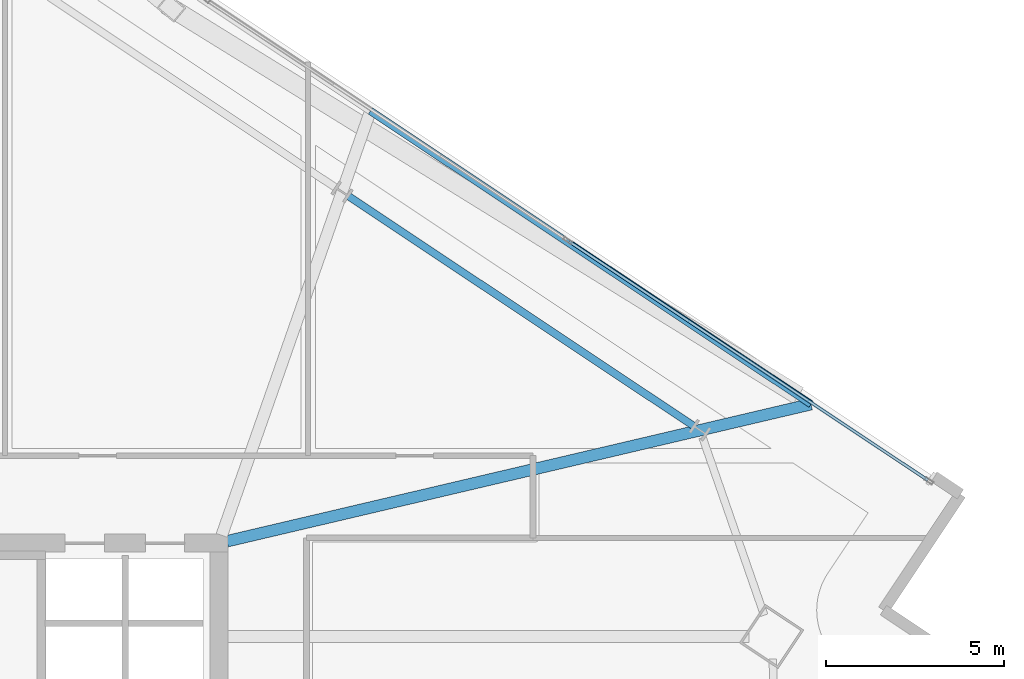
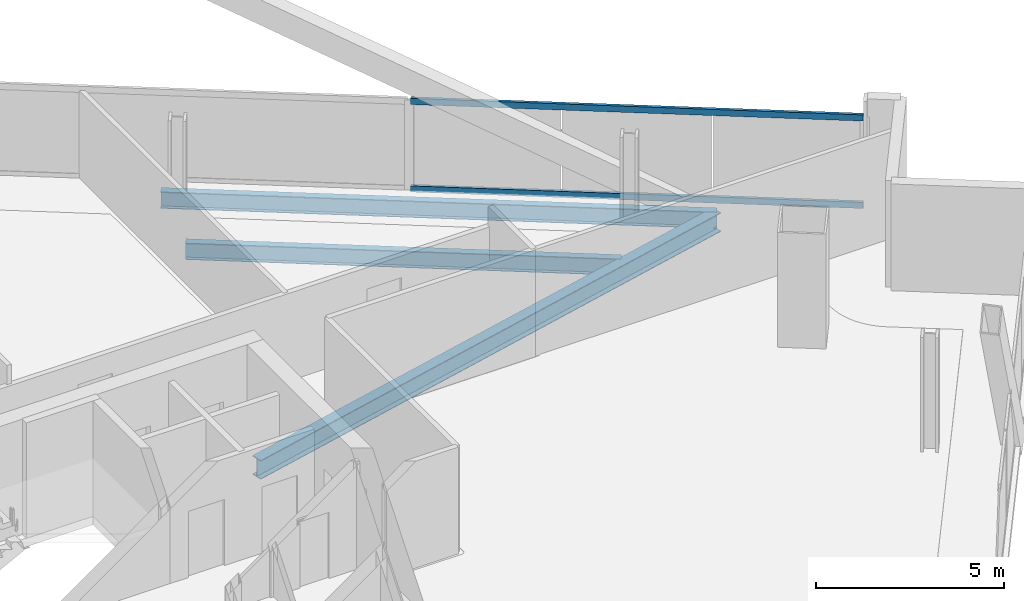
# One storey, part 19 of 32: 3 beams, 2 members, 1 element without a shape of its own.
"""IFC4 building model written with IfcOpenShell, lengths in metres."""

from ifc_helpers import new_model, si_unit, direction, frame, origin, origin_2d, place, context, subcontext, project, spatial, hollow_rectangle, i_section, extrude, material, material_profile, profile_set, type_object, element, aggregate, save


model = new_model("IFC4")

# Units and contexts
model_context = context("Model", 3, precision=1e-05, world=origin(), true_north=direction((0.0, 1.0)))
body_context = subcontext(model_context, "Body", "Model", "MODEL_VIEW")
ifc_project = project(units=[si_unit("LENGTHUNIT", "METRE"), si_unit("AREAUNIT", "SQUARE_METRE"), si_unit("VOLUMEUNIT", "CUBIC_METRE"), si_unit("PLANEANGLEUNIT", "RADIAN"), si_unit("MASSUNIT", "GRAM", prefix="KILO")], contexts=[model_context])

# Site, building, storey
site_placement = place(None, origin())
site = spatial("IfcSite", under=ifc_project, at=site_placement, CompositionType="ELEMENT")
building_placement = place(site_placement, origin())
building = spatial("IfcBuilding", under=site, at=building_placement, Name="Haldenkirk Collegiate Tower", CompositionType="ELEMENT")
storey_placement = place(building_placement, frame((0.0, 0.0, 217.199951171875)))
storey = spatial("IfcBuildingStorey", under=building, at=storey_placement, Name="L54", CompositionType="ELEMENT", Elevation=217.199951171875)

# Beams
ifc_material_1 = material(Name="Steel ASTM A992 Grade 50", Category="steel")
ifc_material_profile_1 = material_profile(ifc_material_1, i_section(OverallWidth=0.324951171875, OverallDepth=0.615966796875, WebThickness=0.013916015625, FlangeThickness=0.021484375, at=origin_2d()), Name="W24X117")
ifc_profile_set_1 = profile_set([ifc_material_profile_1], Name="Steel ASTM A992 Grade 50")
beam_type_1 = type_object("IfcBeamType", Name="BM-GIRDER-W24X117", PredefinedType="BEAM", material=ifc_profile_set_1)
beam_1_placement = place(storey_placement, frame((61.58984375, 37.89306640625, -0.587890625), z_axis=(-0.97355279967, -0.228462133089, 0.0), x_axis=(0.228462133089, -0.97355279967, 0.0)))
element("IfcBeam", 1, at=beam_1_placement, inside=storey, type_object=beam_type_1, Name="L54 primary floor girder 08", PredefinedType="BEAM", context=body_context, shape_type="SweptSolid", body=[
    extrude(i_section(OverallWidth=0.324951171875, OverallDepth=0.615966796875, WebThickness=0.013916015625, FlangeThickness=0.021484375, at=origin_2d()), origin(), (0.0, 0.0, 1.0), 16.810546875),
])
ifc_material_profile_2 = material_profile(ifc_material_1, i_section(OverallWidth=0.2099609375, OverallDepth=0.537109375, WebThickness=0.010986328125, FlangeThickness=0.017333984375, at=origin_2d()), Name="W21X68")
ifc_profile_set_2 = profile_set([ifc_material_profile_2], Name="Steel ASTM A992 Grade 50")
beam_type_2 = type_object("IfcBeamType", Name="BM-SPANDREL-W21X68", PredefinedType="SPANDREL", material=ifc_profile_set_2)
beam_2_placement = place(storey_placement, frame((58.30029296875, 37.28369140625, -0.54833984375), z_axis=(-0.832431545828, 0.554127892738, 0.0), x_axis=(-0.554127892738, -0.832431545828, 0.0)))
element("IfcBeam", 2, at=beam_2_placement, inside=storey, type_object=beam_type_2, Name="L54 perimeter spandrel beam 06", PredefinedType="SPANDREL", context=body_context, shape_type="SweptSolid", body=[
    extrude(i_section(OverallWidth=0.2099609375, OverallDepth=0.537109375, WebThickness=0.010986328125, FlangeThickness=0.017333984375, at=origin_2d()), origin(), (0.0, 0.0, 1.0), 11.619140625),
])
beam_3_placement = place(storey_placement, frame((61.58984375, 37.89306640625, -0.54833984375), z_axis=(-0.832442583403, 0.554111311325, 0.0), x_axis=(-0.554111311325, -0.832442583403, 0.0)))
element("IfcBeam", 3, at=beam_3_placement, inside=storey, type_object=beam_type_2, Name="L54 outer facade edge beam 2A", PredefinedType="SPANDREL", context=body_context, shape_type="SweptSolid", body=[
    extrude(i_section(OverallWidth=0.2099609375, OverallDepth=0.537109375, WebThickness=0.010986328125, FlangeThickness=0.017333984375, at=origin_2d()), origin(), (0.0, 0.0, 1.0), 14.832763671875),
])

# Curtain wall, members
ifc_material_2 = material(Name="Anodised architectural bronze aluminium", Category="aluminium")
curtain_wall_type = type_object("IfcCurtainWallType", Name="CW-SYS1B-CONVEX-HI", PredefinedType="USERDEFINED", material=ifc_material_2)
curtain_wall_placement = place(storey_placement, origin())
curtain_wall = element("IfcCurtainWall", 4, at=curtain_wall_placement, inside=storey, type_object=curtain_wall_type, Name="L54 Upper tower high-wind convex bronze unitised curtain wall", ObjectType="UNITISED CURTAIN WALL", PredefinedType="USERDEFINED")
ifc_material_profile_3 = material_profile(ifc_material_2, hollow_rectangle(XDim=0.0849609375, YDim=0.199951171875, WallThickness=0.0048828125, at=origin_2d()), Name="CW-TRN-1B")
ifc_profile_set_3 = profile_set([ifc_material_profile_3], Name="Anodised architectural bronze aluminium")
member_type = type_object("IfcMemberType", Name="CW-TRN-1B", PredefinedType="USERDEFINED", material=ifc_profile_set_3)
member_1_placement = place(storey_placement, frame((54.8115234375, 42.453125, 0.04248046875), z_axis=(0.832438984079, -0.554116718558, 0.0), x_axis=(0.554116718558, 0.832438984079, 0.0)))
member_1 = element("IfcMember", 5, at=member_1_placement, type_object=member_type, Name="CW-1B transom 3.1", ObjectType="TRANSOM", PredefinedType="USERDEFINED", context=body_context, shape_type="SweptSolid", body=[
    extrude(hollow_rectangle(XDim=0.0849609375, YDim=0.199951171875, WallThickness=0.0048828125, at=origin_2d()), origin(), (0.0, 0.0, 1.0), 12.07275390625),
])
member_2_placement = place(storey_placement, frame((54.8115234375, 42.453125, 2.885498046875), z_axis=(0.832438984079, -0.554116718558, 0.0), x_axis=(0.554116718558, 0.832438984079, 0.0)))
member_2 = element("IfcMember", 6, at=member_2_placement, type_object=member_type, Name="CW-1B transom 3.2", ObjectType="TRANSOM", PredefinedType="USERDEFINED", context=body_context, shape_type="SweptSolid", body=[
    extrude(hollow_rectangle(XDim=0.0849609375, YDim=0.199951171875, WallThickness=0.0048828125, at=origin_2d()), origin(), (0.0, 0.0, 1.0), 12.07275390625),
])
aggregate(curtain_wall, [member_1, member_2])

save(model, "model.ifc")
